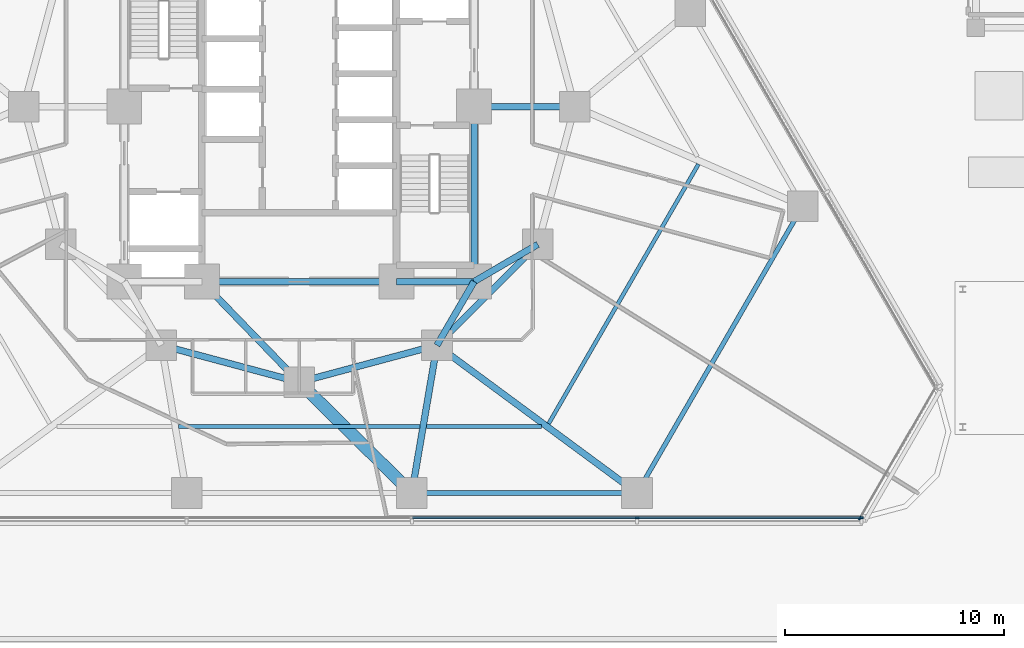
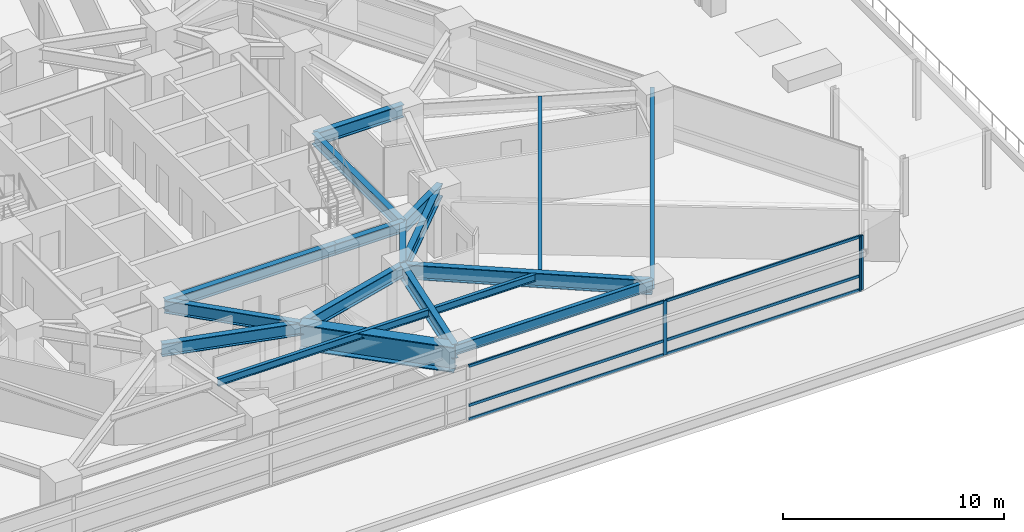
# One storey, part 9 of 23: 18 beams, 9 members, 2 elements without a shape of their own.
"""IFC4 building model written with IfcOpenShell, lengths in metres."""

from ifc_helpers import new_model, si_unit, direction, frame, origin, origin_2d, place, context, subcontext, project, spatial, rectangle, i_section, extrude, material, layer, layer_set, material_profile, profile_set, type_object, element, aggregate, save


model = new_model("IFC4")

# Units and contexts
model_context = context("Model", 3, precision=1e-05, world=origin(), true_north=direction((0.0, 1.0)))
body_context = subcontext(model_context, "Body", "Model", "MODEL_VIEW")
ifc_project = project(units=[si_unit("LENGTHUNIT", "METRE"), si_unit("AREAUNIT", "SQUARE_METRE"), si_unit("VOLUMEUNIT", "CUBIC_METRE"), si_unit("PLANEANGLEUNIT", "RADIAN"), si_unit("MASSUNIT", "GRAM", prefix="KILO")], contexts=[model_context])

# Site, building, storey
site_placement = place(None, origin())
site = spatial("IfcSite", under=ifc_project, at=site_placement, CompositionType="ELEMENT")
building_placement = place(site_placement, origin())
building = spatial("IfcBuilding", under=site, at=building_placement, Name="Terralouvre Media Tower", CompositionType="ELEMENT")
storey_placement = place(building_placement, frame((0.0, 0.0, 26.0)))
storey = spatial("IfcBuildingStorey", under=building, at=storey_placement, Name="L05", CompositionType="ELEMENT", Elevation=26.0)

# Beams
ifc_material_1 = material(Name="Structural steel S355J2", Category="steel")
ifc_material_profile_1 = material_profile(ifc_material_1, i_section(OverallWidth=0.179931640625, OverallDepth=0.39990234375, WebThickness=0.008544921875, FlangeThickness=0.013427734375, at=origin_2d()), Name="IPE 400")
ifc_profile_set_1 = profile_set([ifc_material_profile_1], Name="Structural steel S355J2")
beam_type_1 = type_object("IfcBeamType", Name="Composite Floor Joist J-IPE400 (IPE 400)", PredefinedType="JOIST", material=ifc_profile_set_1)
beam_1_placement = place(storey_placement, frame((-5.517333984375, -14.627197265625, 3.300048828125), z_axis=(1.0, 0.0, 0.0), x_axis=(0.0, 1.0, 0.0)))
element("IfcBeam", 1, at=beam_1_placement, inside=storey, type_object=beam_type_1, Name="L05 Framing Beam JT-L05-03", PredefinedType="JOIST", context=body_context, shape_type="SweptSolid", body=[
    extrude(i_section(OverallWidth=0.179931640625, OverallDepth=0.39990234375, WebThickness=0.008544921875, FlangeThickness=0.013427734375, at=origin_2d()), origin(), (0.0, 0.0, 1.0), 11.03466796875),
])
beam_2_placement = place(storey_placement, frame((5.817626953125, -14.627197265625, 3.300048828125), z_axis=(1.0, 0.0, 0.0), x_axis=(0.0, 1.0, 0.0)))
element("IfcBeam", 2, at=beam_2_placement, inside=storey, type_object=beam_type_1, Name="L05 Framing Beam JT-L05-04", PredefinedType="JOIST", context=body_context, shape_type="SweptSolid", body=[
    extrude(i_section(OverallWidth=0.179931640625, OverallDepth=0.39990234375, WebThickness=0.008544921875, FlangeThickness=0.013427734375, at=origin_2d()), origin(), (0.0, 0.0, 1.0), 5.264404296875),
])
beam_3_placement = place(storey_placement, frame((11.407470703125, -14.4970703125, 3.300048828125), z_axis=(0.500011895338, 0.866018535899, 0.0), x_axis=(-0.866018535899, 0.500011895338, 0.0)))
element("IfcBeam", 3, at=beam_3_placement, inside=storey, type_object=beam_type_1, Name="L05 Framing Beam JT-L05-05", PredefinedType="JOIST", context=body_context, shape_type="SweptSolid", body=[
    extrude(i_section(OverallWidth=0.179931640625, OverallDepth=0.39990234375, WebThickness=0.008544921875, FlangeThickness=0.013427734375, at=origin_2d()), origin(), (0.0, 0.0, 1.0), 13.702392578125),
])

# Curtain wall, members
ifc_material_2 = material(Name="Low-iron laminated double glazing with solar-control coating", Category="glass")
ifc_layer_1 = layer(ifc_material_2, 0.1650390625, Name="Lower Media Tower Unitised Curtain Wall CW-02")
ifc_layer_set_1 = layer_set([ifc_layer_1], Name="Low-iron laminated double glazing with solar-control coating")
curtain_wall_type_1 = type_object("IfcCurtainWallType", Name="Lower Media Tower Unitised Curtain Wall CW-02", PredefinedType="NOTDEFINED", material=ifc_layer_set_1)
curtain_wall_1_placement = place(storey_placement, origin())
curtain_wall_1 = element("IfcCurtainWall", 4, at=curtain_wall_1_placement, inside=storey, type_object=curtain_wall_type_1, Name="L05 Facade Curtain Wall F0", PredefinedType="NOTDEFINED")
ifc_material_3 = material(Name="Anodised extruded aluminium 6063-T6", Category="aluminium")
ifc_material_profile_2 = material_profile(ifc_material_3, rectangle(XDim=0.074951171875, YDim=0.14990234375, at=origin_2d()), Name="ALU 75x150")
ifc_profile_set_2 = profile_set([ifc_material_profile_2], Name="Anodised extruded aluminium 6063-T6")
member_type_1 = type_object("IfcMemberType", Name="Curtain-Wall Horizontal Transom TR-150", PredefinedType="USERDEFINED", material=ifc_profile_set_2)
member_1_placement = place(storey_placement, frame((5.1875, -18.796875, 0.03759765625), z_axis=(1.0, 0.0, 0.0), x_axis=(0.0, 1.0, 0.0)))
member_1 = element("IfcMember", 5, at=member_1_placement, type_object=member_type_1, Name="CW-02 transom 4.1", ObjectType="TRANSOM", PredefinedType="USERDEFINED", context=body_context, shape_type="SweptSolid", body=[
    extrude(rectangle(XDim=0.074951171875, YDim=0.14990234375, at=origin_2d()), origin(), (0.0, 0.0, 1.0), 10.22509765625),
])
member_2_placement = place(storey_placement, frame((5.1875, -18.796875, 0.800048828125), z_axis=(1.0, 0.0, 0.0), x_axis=(0.0, 1.0, 0.0)))
member_2 = element("IfcMember", 6, at=member_2_placement, type_object=member_type_1, Name="CW-02 transom 4.2", ObjectType="TRANSOM", PredefinedType="USERDEFINED", context=body_context, shape_type="SweptSolid", body=[
    extrude(rectangle(XDim=0.074951171875, YDim=0.14990234375, at=origin_2d()), origin(), (0.0, 0.0, 1.0), 10.22509765625),
])
member_3_placement = place(storey_placement, frame((5.1875, -18.796875, 2.96240234375), z_axis=(1.0, 0.0, 0.0), x_axis=(0.0, 1.0, 0.0)))
member_3 = element("IfcMember", 7, at=member_3_placement, type_object=member_type_1, Name="CW-02 transom 4.3", ObjectType="TRANSOM", PredefinedType="USERDEFINED", context=body_context, shape_type="SweptSolid", body=[
    extrude(rectangle(XDim=0.074951171875, YDim=0.14990234375, at=origin_2d()), origin(), (0.0, 0.0, 1.0), 10.22509765625),
])
member_4_placement = place(storey_placement, frame((15.487548828125, -18.796875, 0.03759765625), z_axis=(1.0, 0.0, 0.0), x_axis=(0.0, 1.0, 0.0)))
member_4 = element("IfcMember", 8, at=member_4_placement, type_object=member_type_1, Name="CW-02 transom 5.1", ObjectType="TRANSOM", PredefinedType="USERDEFINED", context=body_context, shape_type="SweptSolid", body=[
    extrude(rectangle(XDim=0.074951171875, YDim=0.14990234375, at=origin_2d()), origin(), (0.0, 0.0, 1.0), 10.1875),
])
member_5_placement = place(storey_placement, frame((15.487548828125, -18.796875, 0.800048828125), z_axis=(1.0, 0.0, 0.0), x_axis=(0.0, 1.0, 0.0)))
member_5 = element("IfcMember", 9, at=member_5_placement, type_object=member_type_1, Name="CW-02 transom 5.2", ObjectType="TRANSOM", PredefinedType="USERDEFINED", context=body_context, shape_type="SweptSolid", body=[
    extrude(rectangle(XDim=0.074951171875, YDim=0.14990234375, at=origin_2d()), origin(), (0.0, 0.0, 1.0), 10.1875),
])
member_6_placement = place(storey_placement, frame((15.487548828125, -18.796875, 2.96240234375), z_axis=(1.0, 0.0, 0.0), x_axis=(0.0, 1.0, 0.0)))
member_6 = element("IfcMember", 10, at=member_6_placement, type_object=member_type_1, Name="CW-02 transom 5.3", ObjectType="TRANSOM", PredefinedType="USERDEFINED", context=body_context, shape_type="SweptSolid", body=[
    extrude(rectangle(XDim=0.074951171875, YDim=0.14990234375, at=origin_2d()), origin(), (0.0, 0.0, 1.0), 10.1875),
])
ifc_material_4 = material(Name="Anodised extruded aluminium 6063-T6", Category="aluminium")
ifc_material_profile_3 = material_profile(ifc_material_4, rectangle(XDim=0.074951171875, YDim=0.179931640625, at=origin_2d()), Name="ALU 75x180")
ifc_profile_set_3 = profile_set([ifc_material_profile_3], Name="Anodised extruded aluminium 6063-T6")
member_type_2 = type_object("IfcMemberType", Name="Curtain-Wall Vertical Mullion ML-180", PredefinedType="MULLION", material=ifc_profile_set_3)
member_7_placement = place(storey_placement, frame((15.449951171875, -18.796875, 0.0), z_axis=(0.0, 0.0, 1.0), x_axis=(0.0, 1.0, 0.0)))
member_7 = element("IfcMember", 11, at=member_7_placement, type_object=member_type_2, Name="CW-02 mullion 5", PredefinedType="MULLION", context=body_context, shape_type="SweptSolid", body=[
    extrude(rectangle(XDim=0.074951171875, YDim=0.179931640625, at=origin_2d()), origin(), (0.0, 0.0, 1.0), 3.0),
])
member_8_placement = place(storey_placement, frame((25.71240234375, -18.796875, 0.0), z_axis=(0.0, 0.0, 1.0), x_axis=(0.0, 1.0, 0.0)))
member_8 = element("IfcMember", 12, at=member_8_placement, type_object=member_type_2, Name="CW-02 mullion 6", PredefinedType="MULLION", context=body_context, shape_type="SweptSolid", body=[
    extrude(rectangle(XDim=0.074951171875, YDim=0.179931640625, at=origin_2d()), origin(), (0.0, 0.0, 1.0), 3.0),
])
aggregate(curtain_wall_1, [member_7, member_8, member_1, member_2, member_3, member_4, member_5, member_6])

# Curtain wall, member
ifc_material_5 = material(Name="Low-iron laminated double glazing with solar-control coating", Category="glass")
ifc_layer_2 = layer(ifc_material_5, 0.1650390625, Name="Rounded Wind-Corner Curved Glazing CW-04")
ifc_layer_set_2 = layer_set([ifc_layer_2], Name="Low-iron laminated double glazing with solar-control coating")
curtain_wall_type_2 = type_object("IfcCurtainWallType", Name="Rounded Wind-Corner Curved Glazing CW-04", PredefinedType="NOTDEFINED", material=ifc_layer_set_2)
curtain_wall_2_placement = place(storey_placement, origin())
curtain_wall_2 = element("IfcCurtainWall", 13, at=curtain_wall_2_placement, inside=storey, type_object=curtain_wall_type_2, Name="L05 Rounded Wind-Corner Curtain Wall C1", PredefinedType="NOTDEFINED")
member_9_placement = place(storey_placement, frame((25.6474609375, -18.814208984375, 0.0), z_axis=(0.0, 0.0, 1.0), x_axis=(-0.866025581895, 0.499999691503, 0.0)))
member_9 = element("IfcMember", 14, at=member_9_placement, type_object=member_type_2, Name="CW-04 mullion 1", PredefinedType="MULLION", context=body_context, shape_type="SweptSolid", body=[
    extrude(rectangle(XDim=0.074951171875, YDim=0.179931640625, at=origin_2d()), origin(), (0.0, 0.0, 1.0), 3.0),
])
aggregate(curtain_wall_2, [member_9])

# Beams
ifc_material_6 = material(Name="Structural steel S355J2", Category="steel")
ifc_material_profile_4 = material_profile(ifc_material_6, i_section(OverallWidth=0.2099609375, OverallDepth=0.550048828125, WebThickness=0.010986328125, FlangeThickness=0.01708984375, at=origin_2d()), Name="IPE 550")
ifc_profile_set_4 = profile_set([ifc_material_profile_4], Name="Structural steel S355J2")
beam_type_2 = type_object("IfcBeamType", Name="Perimeter Spandrel Beam SPB-550 (IPE 550)", PredefinedType="SPANDREL", material=ifc_profile_set_4)
beam_4_placement = place(storey_placement, frame((5.14990234375, -17.666748046875, 3.22509765625), z_axis=(1.0, 0.0, 0.0), x_axis=(0.0, 1.0, 0.0)))
element("IfcBeam", 15, at=beam_4_placement, inside=storey, type_object=beam_type_2, Name="L05 Framing Beam BM-L05-PR04", PredefinedType="SPANDREL", context=body_context, shape_type="SweptSolid", body=[
    extrude(i_section(OverallWidth=0.2099609375, OverallDepth=0.550048828125, WebThickness=0.010986328125, FlangeThickness=0.01708984375, at=origin_2d()), origin(), (0.0, 0.0, 1.0), 10.300048828125),
])
beam_5_placement = place(storey_placement, frame((15.449951171875, -17.666748046875, 3.22509765625), z_axis=(0.500002375365, 0.866024032363, 0.0), x_axis=(-0.866024032363, 0.500002375365, 0.0)))
element("IfcBeam", 16, at=beam_5_placement, inside=storey, type_object=beam_type_2, Name="L05 Framing Beam BM-L05-PR05", PredefinedType="SPANDREL", context=body_context, shape_type="SweptSolid", body=[
    extrude(i_section(OverallWidth=0.2099609375, OverallDepth=0.550048828125, WebThickness=0.010986328125, FlangeThickness=0.01708984375, at=origin_2d()), origin(), (0.0, 0.0, 1.0), 15.14990234375),
])
ifc_material_7 = material(Name="Structural steel S460M", Category="steel")
ifc_material_profile_5 = material_profile(ifc_material_7, i_section(OverallWidth=0.300048828125, OverallDepth=0.60009765625, WebThickness=0.015380859375, FlangeThickness=0.030029296875, at=origin_2d()), Name="HEB 600")
ifc_profile_set_5 = profile_set([ifc_material_profile_5], Name="Structural steel S460M")
beam_type_3 = type_object("IfcBeamType", Name="Primary Floor Girder B-HEB600 (HEB 600)", PredefinedType="BEAM", material=ifc_profile_set_5)
beam_6_placement = place(storey_placement, frame((-4.449951171875, -8.0, 3.199951171875), z_axis=(1.0, 0.0, 0.0), x_axis=(0.0, 1.0, 0.0)))
element("IfcBeam", 17, at=beam_6_placement, inside=storey, type_object=beam_type_3, Name="L05 Framing Beam BM-L05-CPR02", PredefinedType="BEAM", context=body_context, shape_type="SweptSolid", body=[
    extrude(i_section(OverallWidth=0.300048828125, OverallDepth=0.60009765625, WebThickness=0.015380859375, FlangeThickness=0.030029296875, at=origin_2d()), origin(), (0.0, 0.0, 1.0), 8.89990234375),
])
beam_7_placement = place(storey_placement, frame((4.449951171875, -8.0, 3.199951171875), z_axis=(1.0, 0.0, 0.0), x_axis=(0.0, 1.0, 0.0)))
element("IfcBeam", 18, at=beam_7_placement, inside=storey, type_object=beam_type_3, Name="L05 Framing Beam BM-L05-CPR03", PredefinedType="BEAM", context=body_context, shape_type="SweptSolid", body=[
    extrude(i_section(OverallWidth=0.300048828125, OverallDepth=0.60009765625, WebThickness=0.015380859375, FlangeThickness=0.030029296875, at=origin_2d()), origin(), (0.0, 0.0, 1.0), 3.550048828125),
])
beam_8_placement = place(storey_placement, frame((8.0, -8.0, 3.199951171875), z_axis=(0.0, 1.0, 0.0), x_axis=(-1.0, 0.0, 0.0)))
element("IfcBeam", 19, at=beam_8_placement, inside=storey, type_object=beam_type_3, Name="L05 Framing Beam BM-L05-CPR04", PredefinedType="BEAM", context=body_context, shape_type="SweptSolid", body=[
    extrude(i_section(OverallWidth=0.300048828125, OverallDepth=0.60009765625, WebThickness=0.015380859375, FlangeThickness=0.030029296875, at=origin_2d()), origin(), (0.0, 0.0, 1.0), 8.0),
])
ifc_material_8 = material(Name="Structural steel S460M", Category="steel")
ifc_material_profile_6 = material_profile(ifc_material_8, i_section(OverallWidth=0.300048828125, OverallDepth=0.699951171875, WebThickness=0.01708984375, FlangeThickness=0.031982421875, at=origin_2d()), Name="HEB 700")
ifc_profile_set_6 = profile_set([ifc_material_profile_6], Name="Structural steel S460M")
beam_type_4 = type_object("IfcBeamType", Name="Primary Floor Girder B-HEB700 (HEB 700)", PredefinedType="BEAM", material=ifc_profile_set_6)
for number, where, z_axis, x_axis, name in (
    (20, (-6.300048828125, -10.911865234375, 3.14990234375), (0.965920481897, -0.258838989821, 0.0), (0.258838989821, 0.965920481897, 0.0), "L05 Framing Beam BM-L05-MR02"),
    (21, (0.0, -12.60009765625, 3.14990234375), (0.965920481897, 0.258838989821, 0.0), (-0.258838989821, 0.965920481897, 0.0), "L05 Framing Beam BM-L05-MR03"),
):
    element("IfcBeam", number, at=place(storey_placement, frame(where, z_axis=z_axis, x_axis=x_axis)), inside=storey, type_object=beam_type_4, Name=name, PredefinedType="BEAM", context=body_context, shape_type="SweptSolid", body=[
        extrude(i_section(OverallWidth=0.300048828125, OverallDepth=0.699951171875, WebThickness=0.01708984375, FlangeThickness=0.031982421875, at=origin_2d()), origin(), (0.0, 0.0, 1.0), 6.522216796875),
    ])
beam_9_placement = place(storey_placement, frame((6.300048828125, -10.911865234375, 3.14990234375), z_axis=(0.707106781187, 0.707106781187, 0.0), x_axis=(-0.707106781187, 0.707106781187, 0.0)))
element("IfcBeam", 22, at=beam_9_placement, inside=storey, type_object=beam_type_4, Name="L05 Framing Beam BM-L05-MR04", PredefinedType="BEAM", context=body_context, shape_type="SweptSolid", body=[
    extrude(i_section(OverallWidth=0.300048828125, OverallDepth=0.699951171875, WebThickness=0.01708984375, FlangeThickness=0.031982421875, at=origin_2d()), origin(), (0.0, 0.0, 1.0), 6.52197265625),
])
beam_10_placement = place(storey_placement, frame((-4.449951171875, -8.0, 3.14990234375), z_axis=(0.695279715726, -0.718739255155, 0.0), x_axis=(0.718739255155, 0.695279715726, 0.0)))
element("IfcBeam", 23, at=beam_10_placement, inside=storey, type_object=beam_type_4, Name="L05 Framing Beam BM-L05-CM03", PredefinedType="BEAM", context=body_context, shape_type="SweptSolid", body=[
    extrude(i_section(OverallWidth=0.300048828125, OverallDepth=0.699951171875, WebThickness=0.01708984375, FlangeThickness=0.031982421875, at=origin_2d()), origin(), (0.0, 0.0, 1.0), 6.400146484375),
])
for number, where, z_axis, x_axis, name in (
    (24, (8.0, -8.0, 3.14990234375), (-0.504172629717, -0.863602894532, 0.0), (0.863602894532, -0.504172629717, 0.0), "L05 Framing Beam BM-L05-CM04"),
    (25, (8.0, -8.0, 3.14990234375), (0.863602894532, 0.504172629717, 0.0), (-0.504172629717, 0.863602894532, 0.0), "L05 Framing Beam BM-L05-CM05"),
):
    element("IfcBeam", number, at=place(storey_placement, frame(where, z_axis=z_axis, x_axis=x_axis)), inside=storey, type_object=beam_type_4, Name=name, PredefinedType="BEAM", context=body_context, shape_type="SweptSolid", body=[
        extrude(i_section(OverallWidth=0.300048828125, OverallDepth=0.699951171875, WebThickness=0.01708984375, FlangeThickness=0.031982421875, at=origin_2d()), origin(), (0.0, 0.0, 1.0), 3.371826171875),
    ])
beam_11_placement = place(storey_placement, frame((8.0, 0.0, 3.14990234375), z_axis=(1.0, 0.0, 0.0), x_axis=(0.0, 1.0, 0.0)))
element("IfcBeam", 26, at=beam_11_placement, inside=storey, type_object=beam_type_4, Name="L05 Framing Beam BM-L05-CM06", PredefinedType="BEAM", context=body_context, shape_type="SweptSolid", body=[
    extrude(i_section(OverallWidth=0.300048828125, OverallDepth=0.699951171875, WebThickness=0.01708984375, FlangeThickness=0.031982421875, at=origin_2d()), origin(), (0.0, 0.0, 1.0), 4.60009765625),
])
ifc_material_9 = material(Name="Structural steel S460M", Category="steel")
ifc_material_profile_7 = material_profile(ifc_material_9, i_section(OverallWidth=0.300048828125, OverallDepth=0.800048828125, WebThickness=0.017578125, FlangeThickness=0.032958984375, at=origin_2d()), Name="HEB 800")
ifc_profile_set_7 = profile_set([ifc_material_profile_7], Name="Structural steel S460M")
beam_type_5 = type_object("IfcBeamType", Name="Primary Floor Girder B-HEB800 (HEB 800)", PredefinedType="BEAM", material=ifc_profile_set_7)
beam_12_placement = place(storey_placement, frame((6.300048828125, -10.911865234375, 3.10009765625), z_axis=(-0.167853129882, -0.98581201392, 0.0), x_axis=(0.98581201392, -0.167853129882, 0.0)))
element("IfcBeam", 27, at=beam_12_placement, inside=storey, type_object=beam_type_5, Name="L05 Framing Beam BM-L05-RD04", PredefinedType="BEAM", context=body_context, shape_type="SweptSolid", body=[
    extrude(i_section(OverallWidth=0.300048828125, OverallDepth=0.800048828125, WebThickness=0.017578125, FlangeThickness=0.032958984375, at=origin_2d()), origin(), (0.0, 0.0, 1.0), 6.85205078125),
])
beam_13_placement = place(storey_placement, frame((6.300048828125, -10.911865234375, 3.10009765625), z_axis=(0.804515955091, -0.593931038088, 0.0), x_axis=(0.593931038088, 0.804515955091, 0.0)))
element("IfcBeam", 28, at=beam_13_placement, inside=storey, type_object=beam_type_5, Name="L05 Framing Beam BM-L05-RD05", PredefinedType="BEAM", context=body_context, shape_type="SweptSolid", body=[
    extrude(i_section(OverallWidth=0.300048828125, OverallDepth=0.800048828125, WebThickness=0.017578125, FlangeThickness=0.032958984375, at=origin_2d()), origin(), (0.0, 0.0, 1.0), 11.373291015625),
])
ifc_material_10 = material(Name="Structural steel S460M", Category="steel")
ifc_material_profile_8 = material_profile(ifc_material_10, i_section(OverallWidth=0.56005859375, OverallDepth=1.39990234375, WebThickness=0.031982421875, FlangeThickness=0.050048828125, at=origin_2d()), Name="TG 1400x560")
ifc_profile_set_8 = profile_set([ifc_material_profile_8], Name="Structural steel S460M")
beam_type_6 = type_object("IfcBeamType", Name="Welded Transfer Girder TG-1400 (TG 1400x560)", PredefinedType="USERDEFINED", material=ifc_profile_set_8)
beam_14_placement = place(storey_placement, frame((0.0, -12.60009765625, 2.800048828125), z_axis=(0.712845138324, -0.701321473198, 0.0), x_axis=(0.701321473198, 0.712845138324, 0.0)))
element("IfcBeam", 29, at=beam_14_placement, inside=storey, type_object=beam_type_6, Name="L05 Framing Beam BM-L05-SG03", ObjectType="TRANSFER GIRDER", PredefinedType="USERDEFINED", context=body_context, shape_type="SweptSolid", body=[
    extrude(i_section(OverallWidth=0.56005859375, OverallDepth=1.39990234375, WebThickness=0.031982421875, FlangeThickness=0.050048828125, at=origin_2d()), origin(), (0.0, 0.0, 1.0), 7.224365234375),
])

save(model, "model.ifc")
